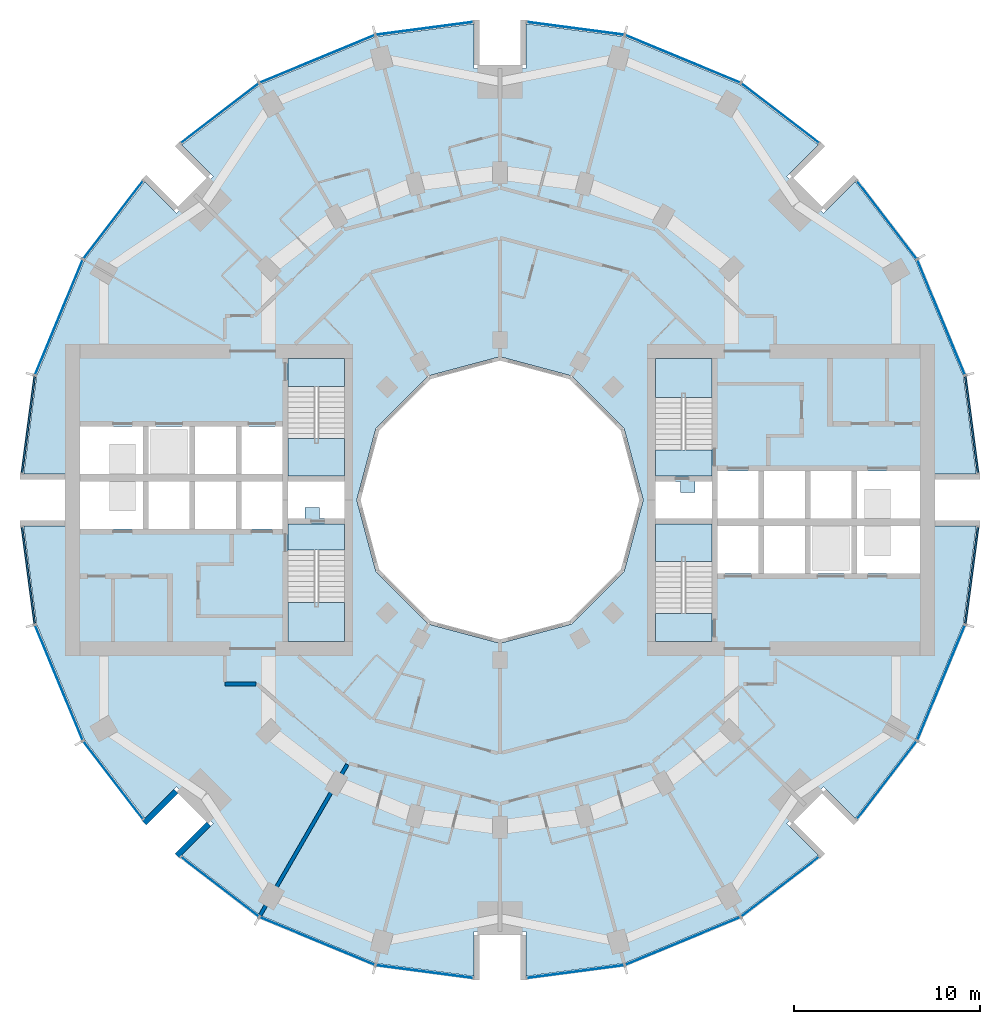
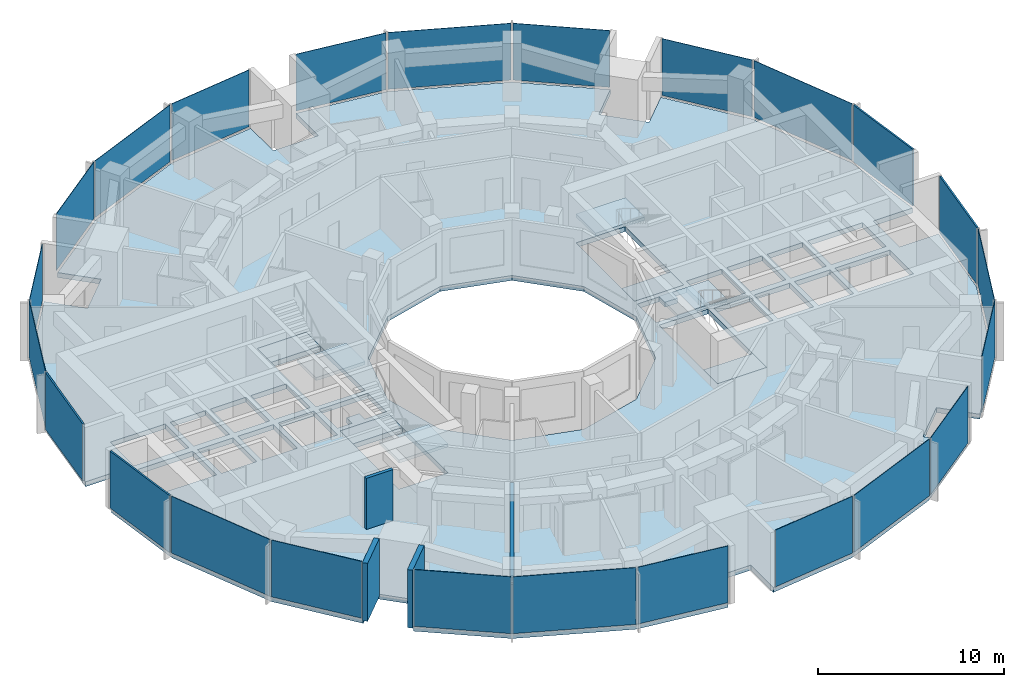
# One storey, part 7 of 15: 24 plates, 9 slabs, 4 walls, 28 elements without a shape of their own.
"""IFC4 building model written with IfcOpenShell, lengths in metres."""

from ifc_helpers import new_model, si_unit, direction, frame, frame_2d, origin, origin_2d, place, context, subcontext, project, spatial, polyline, rectangle, outline, extrude, material, layer, layer_set, type_object, element, aggregate, save


model = new_model("IFC4")

# Units and contexts
model_context = context("Model", 3, precision=1e-05, world=origin(), true_north=direction((0.0, 1.0)))
body_context = subcontext(model_context, "Body", "Model", "MODEL_VIEW")
ifc_project = project(units=[si_unit("LENGTHUNIT", "METRE"), si_unit("AREAUNIT", "SQUARE_METRE"), si_unit("VOLUMEUNIT", "CUBIC_METRE"), si_unit("PLANEANGLEUNIT", "RADIAN"), si_unit("MASSUNIT", "GRAM", prefix="KILO")], contexts=[model_context])

# Site, building, storey
site_placement = place(None, origin())
site = spatial("IfcSite", under=ifc_project, at=site_placement, CompositionType="ELEMENT")
building_placement = place(site_placement, origin())
building = spatial("IfcBuilding", under=site, at=building_placement, Name="Torre Brocal", CompositionType="ELEMENT")
storey_placement = place(building_placement, frame((0.0, 0.0, 70.60009765625)))
storey = spatial("IfcBuildingStorey", under=building, at=storey_placement, Name="L16", CompositionType="ELEMENT", Elevation=70.60009765625)

# Curtain wall, plate
ifc_material_1 = material(Name="Aluminium and glass", Category="aluminium")
ifc_layer_1 = layer(ifc_material_1, 0.199951171875)
ifc_layer_set_1 = layer_set([ifc_layer_1], Name="Aluminium and glass")
curtain_wall_type_1 = type_object("IfcCurtainWallType", Name="CW-1 CURTAIN WALL 3800 HIGH", PredefinedType="NOTDEFINED", material=ifc_layer_set_1)
curtain_wall_1_placement = place(storey_placement, origin())
curtain_wall_1 = element("IfcCurtainWall", 1, at=curtain_wall_1_placement, inside=storey, type_object=curtain_wall_type_1, Name="CW-1 RUN 2", PredefinedType="NOTDEFINED")
ifc_material_2 = material(Name="Glass, dark tinted laminated", Category="glass")
ifc_layer_2 = layer(ifc_material_2, 0.031982421875)
ifc_layer_set_2 = layer_set([ifc_layer_2], Name="Glass, dark tinted laminated")
plate_type_1 = type_object("IfcPlateType", Name="CW-1 GLASS PANEL 32", PredefinedType="CURTAIN_PANEL", material=ifc_layer_set_2)
plate_1_placement = place(storey_placement, frame((103.722900390625, 84.826416015625, 0.080078125), z_axis=(0.0, 0.0, 1.0), x_axis=(-0.382683432333, 0.923879532525, 0.0)))
plate_1 = element("IfcPlate", 2, at=plate_1_placement, type_object=plate_type_1, Name="CW1-1 panel 1.1", PredefinedType="CURTAIN_PANEL", context=body_context, shape_type="SweptSolid", body=[
    extrude(rectangle(XDim=6.64111328125, YDim=0.031982421875, at=origin_2d()), origin(), (0.0, 0.0, 1.0), 3.719970703125),
])
aggregate(curtain_wall_1, [plate_1])

curtain_wall_2_placement = place(storey_placement, origin())
curtain_wall_2 = element("IfcCurtainWall", 3, at=curtain_wall_2_placement, inside=storey, type_object=curtain_wall_type_1, Name="CW-1 RUN 3", PredefinedType="NOTDEFINED")
plate_2_placement = place(storey_placement, frame((100.80126953125, 90.0712890625, 0.080078125), z_axis=(0.0, 0.0, 1.0), x_axis=(-0.60876142905, 0.793353340259, 0.0)))
plate_2 = element("IfcPlate", 4, at=plate_2_placement, type_object=plate_type_1, Name="CW1-1 panel 1.1", PredefinedType="CURTAIN_PANEL", context=body_context, shape_type="SweptSolid", body=[
    extrude(rectangle(XDim=5.22900390625, YDim=0.031982421875, at=origin_2d()), origin(), (0.0, 0.0, 1.0), 3.719970703125),
])
aggregate(curtain_wall_2, [plate_2])

curtain_wall_3_placement = place(storey_placement, origin())
curtain_wall_3 = element("IfcCurtainWall", 5, at=curtain_wall_3_placement, inside=storey, type_object=curtain_wall_type_1, Name="CW-1 RUN 4", PredefinedType="NOTDEFINED")
plate_3_placement = place(storey_placement, frame((95.0712890625, 95.80126953125, 0.080078125), z_axis=(0.0, 0.0, 1.0), x_axis=(-0.793353340259, 0.60876142905, 0.0)))
plate_3 = element("IfcPlate", 6, at=plate_3_placement, type_object=plate_type_1, Name="CW1-1 panel 1.1", PredefinedType="CURTAIN_PANEL", context=body_context, shape_type="SweptSolid", body=[
    extrude(rectangle(XDim=5.22900390625, YDim=0.031982421875, at=origin_2d()), origin(), (0.0, 0.0, 1.0), 3.719970703125),
])
aggregate(curtain_wall_3, [plate_3])

curtain_wall_4_placement = place(storey_placement, origin())
curtain_wall_4 = element("IfcCurtainWall", 7, at=curtain_wall_4_placement, inside=storey, type_object=curtain_wall_type_1, Name="CW-1 RUN 5", PredefinedType="NOTDEFINED")
plate_4_placement = place(storey_placement, frame((89.826416015625, 98.722900390625, 0.080078125), z_axis=(0.0, 0.0, 1.0), x_axis=(-0.923879532525, 0.382683432333, 0.0)))
plate_4 = element("IfcPlate", 8, at=plate_4_placement, type_object=plate_type_1, Name="CW1-1 panel 1.1", PredefinedType="CURTAIN_PANEL", context=body_context, shape_type="SweptSolid", body=[
    extrude(rectangle(XDim=6.64111328125, YDim=0.031982421875, at=origin_2d()), origin(), (0.0, 0.0, 1.0), 3.719970703125),
])
aggregate(curtain_wall_4, [plate_4])

curtain_wall_5_placement = place(storey_placement, origin())
curtain_wall_5 = element("IfcCurtainWall", 9, at=curtain_wall_5_placement, inside=storey, type_object=curtain_wall_type_1, Name="CW-1 RUN 6", PredefinedType="NOTDEFINED")
plate_5_placement = place(storey_placement, frame((84.051513671875, 100.36572265625, 0.080078125), z_axis=(0.0, 0.0, 1.0), x_axis=(-0.991444861374, 0.13052619222, 0.0)))
plate_5 = element("IfcPlate", 10, at=plate_5_placement, type_object=plate_type_1, Name="CW1-1 panel 1.1", PredefinedType="CURTAIN_PANEL", context=body_context, shape_type="SweptSolid", body=[
    extrude(rectangle(XDim=5.22900390625, YDim=0.031982421875, at=origin_2d()), origin(), (0.0, 0.0, 1.0), 3.719970703125),
])
aggregate(curtain_wall_5, [plate_5])

curtain_wall_6_placement = place(storey_placement, origin())
curtain_wall_6 = element("IfcCurtainWall", 11, at=curtain_wall_6_placement, inside=storey, type_object=curtain_wall_type_1, Name="CW-1 RUN 7", PredefinedType="NOTDEFINED")
plate_6_placement = place(storey_placement, frame((75.948486328125, 100.36572265625, 0.080078125), z_axis=(0.0, 0.0, 1.0), x_axis=(-0.991444861374, -0.13052619222, 0.0)))
plate_6 = element("IfcPlate", 12, at=plate_6_placement, type_object=plate_type_1, Name="CW1-1 panel 1.1", PredefinedType="CURTAIN_PANEL", context=body_context, shape_type="SweptSolid", body=[
    extrude(rectangle(XDim=5.22900390625, YDim=0.031982421875, at=origin_2d()), origin(), (0.0, 0.0, 1.0), 3.719970703125),
])
aggregate(curtain_wall_6, [plate_6])

curtain_wall_7_placement = place(storey_placement, origin())
curtain_wall_7 = element("IfcCurtainWall", 13, at=curtain_wall_7_placement, inside=storey, type_object=curtain_wall_type_1, Name="CW-1 RUN 8", PredefinedType="NOTDEFINED")
plate_7_placement = place(storey_placement, frame((70.173583984375, 98.722900390625, 0.080078125), z_axis=(0.0, 0.0, 1.0), x_axis=(-0.923879532525, -0.382683432333, 0.0)))
plate_7 = element("IfcPlate", 14, at=plate_7_placement, type_object=plate_type_1, Name="CW1-1 panel 1.1", PredefinedType="CURTAIN_PANEL", context=body_context, shape_type="SweptSolid", body=[
    extrude(rectangle(XDim=6.64111328125, YDim=0.031982421875, at=origin_2d()), origin(), (0.0, 0.0, 1.0), 3.719970703125),
])
aggregate(curtain_wall_7, [plate_7])

curtain_wall_8_placement = place(storey_placement, origin())
curtain_wall_8 = element("IfcCurtainWall", 15, at=curtain_wall_8_placement, inside=storey, type_object=curtain_wall_type_1, Name="CW-1 RUN 9", PredefinedType="NOTDEFINED")
plate_8_placement = place(storey_placement, frame((64.9287109375, 95.80126953125, 0.080078125), z_axis=(0.0, 0.0, 1.0), x_axis=(-0.793353340259, -0.60876142905, 0.0)))
plate_8 = element("IfcPlate", 16, at=plate_8_placement, type_object=plate_type_1, Name="CW1-1 panel 1.1", PredefinedType="CURTAIN_PANEL", context=body_context, shape_type="SweptSolid", body=[
    extrude(rectangle(XDim=5.22900390625, YDim=0.031982421875, at=origin_2d()), origin(), (0.0, 0.0, 1.0), 3.719970703125),
])
aggregate(curtain_wall_8, [plate_8])

curtain_wall_9_placement = place(storey_placement, origin())
curtain_wall_9 = element("IfcCurtainWall", 17, at=curtain_wall_9_placement, inside=storey, type_object=curtain_wall_type_1, Name="CW-1 RUN 10", PredefinedType="NOTDEFINED")
plate_9_placement = place(storey_placement, frame((59.19873046875, 90.0712890625, 0.080078125), z_axis=(0.0, 0.0, 1.0), x_axis=(-0.60876142905, -0.793353340259, 0.0)))
plate_9 = element("IfcPlate", 18, at=plate_9_placement, type_object=plate_type_1, Name="CW1-1 panel 1.1", PredefinedType="CURTAIN_PANEL", context=body_context, shape_type="SweptSolid", body=[
    extrude(rectangle(XDim=5.22900390625, YDim=0.031982421875, at=origin_2d()), origin(), (0.0, 0.0, 1.0), 3.719970703125),
])
aggregate(curtain_wall_9, [plate_9])

curtain_wall_10_placement = place(storey_placement, origin())
curtain_wall_10 = element("IfcCurtainWall", 19, at=curtain_wall_10_placement, inside=storey, type_object=curtain_wall_type_1, Name="CW-1 RUN 11", PredefinedType="NOTDEFINED")
plate_10_placement = place(storey_placement, frame((56.277099609375, 84.826416015625, 0.080078125), z_axis=(0.0, 0.0, 1.0), x_axis=(-0.382683432333, -0.923879532525, 0.0)))
plate_10 = element("IfcPlate", 20, at=plate_10_placement, type_object=plate_type_1, Name="CW1-1 panel 1.1", PredefinedType="CURTAIN_PANEL", context=body_context, shape_type="SweptSolid", body=[
    extrude(rectangle(XDim=6.64111328125, YDim=0.031982421875, at=origin_2d()), origin(), (0.0, 0.0, 1.0), 3.719970703125),
])
aggregate(curtain_wall_10, [plate_10])

curtain_wall_11_placement = place(storey_placement, origin())
curtain_wall_11 = element("IfcCurtainWall", 21, at=curtain_wall_11_placement, inside=storey, type_object=curtain_wall_type_1, Name="CW-1 RUN 14", PredefinedType="NOTDEFINED")
plate_11_placement = place(storey_placement, frame((56.277099609375, 65.173583984375, 0.080078125), z_axis=(0.0, 0.0, 1.0), x_axis=(0.382683432333, -0.923879532525, 0.0)))
plate_11 = element("IfcPlate", 22, at=plate_11_placement, type_object=plate_type_1, Name="CW1-1 panel 1.1", PredefinedType="CURTAIN_PANEL", context=body_context, shape_type="SweptSolid", body=[
    extrude(rectangle(XDim=6.64111328125, YDim=0.031982421875, at=origin_2d()), origin(), (0.0, 0.0, 1.0), 3.719970703125),
])
aggregate(curtain_wall_11, [plate_11])

curtain_wall_12_placement = place(storey_placement, origin())
curtain_wall_12 = element("IfcCurtainWall", 23, at=curtain_wall_12_placement, inside=storey, type_object=curtain_wall_type_1, Name="CW-1 RUN 15", PredefinedType="NOTDEFINED")
plate_12_placement = place(storey_placement, frame((59.19873046875, 59.9287109375, 0.080078125), z_axis=(0.0, 0.0, 1.0), x_axis=(0.60876142905, -0.793353340259, 0.0)))
plate_12 = element("IfcPlate", 24, at=plate_12_placement, type_object=plate_type_1, Name="CW1-1 panel 1.1", PredefinedType="CURTAIN_PANEL", context=body_context, shape_type="SweptSolid", body=[
    extrude(rectangle(XDim=5.22900390625, YDim=0.031982421875, at=origin_2d()), origin(), (0.0, 0.0, 1.0), 3.719970703125),
])
aggregate(curtain_wall_12, [plate_12])

curtain_wall_13_placement = place(storey_placement, origin())
curtain_wall_13 = element("IfcCurtainWall", 25, at=curtain_wall_13_placement, inside=storey, type_object=curtain_wall_type_1, Name="CW-1 RUN 16", PredefinedType="NOTDEFINED")
plate_13_placement = place(storey_placement, frame((64.9287109375, 54.19873046875, 0.080078125), z_axis=(0.0, 0.0, 1.0), x_axis=(0.793353340259, -0.60876142905, 0.0)))
plate_13 = element("IfcPlate", 26, at=plate_13_placement, type_object=plate_type_1, Name="CW1-1 panel 1.1", PredefinedType="CURTAIN_PANEL", context=body_context, shape_type="SweptSolid", body=[
    extrude(rectangle(XDim=5.22900390625, YDim=0.031982421875, at=origin_2d()), origin(), (0.0, 0.0, 1.0), 3.719970703125),
])
aggregate(curtain_wall_13, [plate_13])

curtain_wall_14_placement = place(storey_placement, origin())
curtain_wall_14 = element("IfcCurtainWall", 27, at=curtain_wall_14_placement, inside=storey, type_object=curtain_wall_type_1, Name="CW-1 RUN 17", PredefinedType="NOTDEFINED")
plate_14_placement = place(storey_placement, frame((70.173583984375, 51.277099609375, 0.080078125), z_axis=(0.0, 0.0, 1.0), x_axis=(0.923879532525, -0.382683432333, 0.0)))
plate_14 = element("IfcPlate", 28, at=plate_14_placement, type_object=plate_type_1, Name="CW1-1 panel 1.1", PredefinedType="CURTAIN_PANEL", context=body_context, shape_type="SweptSolid", body=[
    extrude(rectangle(XDim=6.64111328125, YDim=0.031982421875, at=origin_2d()), origin(), (0.0, 0.0, 1.0), 3.719970703125),
])
aggregate(curtain_wall_14, [plate_14])

curtain_wall_15_placement = place(storey_placement, origin())
curtain_wall_15 = element("IfcCurtainWall", 29, at=curtain_wall_15_placement, inside=storey, type_object=curtain_wall_type_1, Name="CW-1 RUN 18", PredefinedType="NOTDEFINED")
plate_15_placement = place(storey_placement, frame((75.948486328125, 49.63427734375, 0.080078125), z_axis=(0.0, 0.0, 1.0), x_axis=(0.991444861374, -0.13052619222, 0.0)))
plate_15 = element("IfcPlate", 30, at=plate_15_placement, type_object=plate_type_1, Name="CW1-1 panel 1.1", PredefinedType="CURTAIN_PANEL", context=body_context, shape_type="SweptSolid", body=[
    extrude(rectangle(XDim=5.22900390625, YDim=0.031982421875, at=origin_2d()), origin(), (0.0, 0.0, 1.0), 3.719970703125),
])
aggregate(curtain_wall_15, [plate_15])

curtain_wall_16_placement = place(storey_placement, origin())
curtain_wall_16 = element("IfcCurtainWall", 31, at=curtain_wall_16_placement, inside=storey, type_object=curtain_wall_type_1, Name="CW-1 RUN 19", PredefinedType="NOTDEFINED")
plate_16_placement = place(storey_placement, frame((84.051513671875, 49.63427734375, 0.080078125), z_axis=(0.0, 0.0, 1.0), x_axis=(0.991444861374, 0.13052619222, 0.0)))
plate_16 = element("IfcPlate", 32, at=plate_16_placement, type_object=plate_type_1, Name="CW1-1 panel 1.1", PredefinedType="CURTAIN_PANEL", context=body_context, shape_type="SweptSolid", body=[
    extrude(rectangle(XDim=5.22900390625, YDim=0.031982421875, at=origin_2d()), origin(), (0.0, 0.0, 1.0), 3.719970703125),
])
aggregate(curtain_wall_16, [plate_16])

curtain_wall_17_placement = place(storey_placement, origin())
curtain_wall_17 = element("IfcCurtainWall", 33, at=curtain_wall_17_placement, inside=storey, type_object=curtain_wall_type_1, Name="CW-1 RUN 20", PredefinedType="NOTDEFINED")
plate_17_placement = place(storey_placement, frame((89.826416015625, 51.277099609375, 0.080078125), z_axis=(0.0, 0.0, 1.0), x_axis=(0.923879532525, 0.382683432333, 0.0)))
plate_17 = element("IfcPlate", 34, at=plate_17_placement, type_object=plate_type_1, Name="CW1-1 panel 1.1", PredefinedType="CURTAIN_PANEL", context=body_context, shape_type="SweptSolid", body=[
    extrude(rectangle(XDim=6.64111328125, YDim=0.031982421875, at=origin_2d()), origin(), (0.0, 0.0, 1.0), 3.719970703125),
])
aggregate(curtain_wall_17, [plate_17])

curtain_wall_18_placement = place(storey_placement, origin())
curtain_wall_18 = element("IfcCurtainWall", 35, at=curtain_wall_18_placement, inside=storey, type_object=curtain_wall_type_1, Name="CW-1 RUN 21", PredefinedType="NOTDEFINED")
plate_18_placement = place(storey_placement, frame((95.0712890625, 54.19873046875, 0.080078125), z_axis=(0.0, 0.0, 1.0), x_axis=(0.793353340259, 0.60876142905, 0.0)))
plate_18 = element("IfcPlate", 36, at=plate_18_placement, type_object=plate_type_1, Name="CW1-1 panel 1.1", PredefinedType="CURTAIN_PANEL", context=body_context, shape_type="SweptSolid", body=[
    extrude(rectangle(XDim=5.22900390625, YDim=0.031982421875, at=origin_2d()), origin(), (0.0, 0.0, 1.0), 3.719970703125),
])
aggregate(curtain_wall_18, [plate_18])

curtain_wall_19_placement = place(storey_placement, origin())
curtain_wall_19 = element("IfcCurtainWall", 37, at=curtain_wall_19_placement, inside=storey, type_object=curtain_wall_type_1, Name="CW-1 RUN 22", PredefinedType="NOTDEFINED")
plate_19_placement = place(storey_placement, frame((100.80126953125, 59.9287109375, 0.080078125), z_axis=(0.0, 0.0, 1.0), x_axis=(0.60876142905, 0.793353340259, 0.0)))
plate_19 = element("IfcPlate", 38, at=plate_19_placement, type_object=plate_type_1, Name="CW1-1 panel 1.1", PredefinedType="CURTAIN_PANEL", context=body_context, shape_type="SweptSolid", body=[
    extrude(rectangle(XDim=5.22900390625, YDim=0.031982421875, at=origin_2d()), origin(), (0.0, 0.0, 1.0), 3.719970703125),
])
aggregate(curtain_wall_19, [plate_19])

curtain_wall_20_placement = place(storey_placement, origin())
curtain_wall_20 = element("IfcCurtainWall", 39, at=curtain_wall_20_placement, inside=storey, type_object=curtain_wall_type_1, Name="CW-1 RUN 23", PredefinedType="NOTDEFINED")
plate_20_placement = place(storey_placement, frame((103.722900390625, 65.173583984375, 0.080078125), z_axis=(0.0, 0.0, 1.0), x_axis=(0.382683432333, 0.923879532525, 0.0)))
plate_20 = element("IfcPlate", 40, at=plate_20_placement, type_object=plate_type_1, Name="CW1-1 panel 1.1", PredefinedType="CURTAIN_PANEL", context=body_context, shape_type="SweptSolid", body=[
    extrude(rectangle(XDim=6.64111328125, YDim=0.031982421875, at=origin_2d()), origin(), (0.0, 0.0, 1.0), 3.719970703125),
])
aggregate(curtain_wall_20, [plate_20])

ifc_material_3 = material(Name="Aluminium and glass", Category="aluminium")
ifc_layer_3 = layer(ifc_material_3, 0.199951171875)
ifc_layer_set_3 = layer_set([ifc_layer_3], Name="Aluminium and glass")
curtain_wall_type_2 = type_object("IfcCurtainWallType", Name="CW-1B CURTAIN WALL 3800 HIGH", PredefinedType="NOTDEFINED", material=ifc_layer_set_3)
curtain_wall_21_placement = place(storey_placement, origin())
curtain_wall_21 = element("IfcCurtainWall", 41, at=curtain_wall_21_placement, inside=storey, type_object=curtain_wall_type_2, Name="CW-1B RUN 1", PredefinedType="NOTDEFINED")
ifc_material_4 = material(Name="Aluminium composite panel", Category="aluminium")
ifc_layer_4 = layer(ifc_material_4, 0.10009765625)
ifc_layer_set_4 = layer_set([ifc_layer_4], Name="Aluminium composite panel")
plate_type_2 = type_object("IfcPlateType", Name="CW-1B OPAQUE PANEL 100", PredefinedType="CURTAIN_PANEL", material=ifc_layer_set_4)
plate_21_placement = place(storey_placement, frame((105.36572265625, 79.051513671875, 0.080078125), z_axis=(0.0, 0.0, 1.0), x_axis=(-0.13052619222, 0.991444861374, 0.0)))
plate_21 = element("IfcPlate", 42, at=plate_21_placement, type_object=plate_type_2, Name="CW1B-1 panel 1.1", PredefinedType="CURTAIN_PANEL", context=body_context, shape_type="SweptSolid", body=[
    extrude(rectangle(XDim=5.22900390625, YDim=0.10009765625, at=origin_2d()), origin(), (0.0, 0.0, 1.0), 3.719970703125),
])
aggregate(curtain_wall_21, [plate_21])

curtain_wall_22_placement = place(storey_placement, origin())
curtain_wall_22 = element("IfcCurtainWall", 43, at=curtain_wall_22_placement, inside=storey, type_object=curtain_wall_type_2, Name="CW-1B RUN 12", PredefinedType="NOTDEFINED")
plate_22_placement = place(storey_placement, frame((54.63427734375, 79.051513671875, 0.080078125), z_axis=(0.0, 0.0, 1.0), x_axis=(-0.13052619222, -0.991444861374, 0.0)))
plate_22 = element("IfcPlate", 44, at=plate_22_placement, type_object=plate_type_2, Name="CW1B-1 panel 1.1", PredefinedType="CURTAIN_PANEL", context=body_context, shape_type="SweptSolid", body=[
    extrude(rectangle(XDim=5.22900390625, YDim=0.10009765625, at=origin_2d()), origin(), (0.0, 0.0, 1.0), 3.719970703125),
])
aggregate(curtain_wall_22, [plate_22])

curtain_wall_23_placement = place(storey_placement, origin())
curtain_wall_23 = element("IfcCurtainWall", 45, at=curtain_wall_23_placement, inside=storey, type_object=curtain_wall_type_2, Name="CW-1B RUN 13", PredefinedType="NOTDEFINED")
plate_23_placement = place(storey_placement, frame((54.63427734375, 70.948486328125, 0.080078125), z_axis=(0.0, 0.0, 1.0), x_axis=(0.13052619222, -0.991444861374, 0.0)))
plate_23 = element("IfcPlate", 46, at=plate_23_placement, type_object=plate_type_2, Name="CW1B-1 panel 1.1", PredefinedType="CURTAIN_PANEL", context=body_context, shape_type="SweptSolid", body=[
    extrude(rectangle(XDim=5.22900390625, YDim=0.10009765625, at=origin_2d()), origin(), (0.0, 0.0, 1.0), 3.719970703125),
])
aggregate(curtain_wall_23, [plate_23])

curtain_wall_24_placement = place(storey_placement, origin())
curtain_wall_24 = element("IfcCurtainWall", 47, at=curtain_wall_24_placement, inside=storey, type_object=curtain_wall_type_2, Name="CW-1B RUN 24", PredefinedType="NOTDEFINED")
plate_24_placement = place(storey_placement, frame((105.36572265625, 70.948486328125, 0.080078125), z_axis=(0.0, 0.0, 1.0), x_axis=(0.13052619222, 0.991444861374, 0.0)))
plate_24 = element("IfcPlate", 48, at=plate_24_placement, type_object=plate_type_2, Name="CW1B-1 panel 1.1", PredefinedType="CURTAIN_PANEL", context=body_context, shape_type="SweptSolid", body=[
    extrude(rectangle(XDim=5.22900390625, YDim=0.10009765625, at=origin_2d()), origin(), (0.0, 0.0, 1.0), 3.719970703125),
])
aggregate(curtain_wall_24, [plate_24])

# Stair, slab
ifc_material_5 = material(Name="Concrete C50", Category="concrete")
stair_type = type_object("IfcStairType", Name="EXIT STAIR", PredefinedType="HALF_TURN_STAIR", material=ifc_material_5)
stair_1_placement = place(storey_placement, origin())
stair_1 = element("IfcStair", 49, at=stair_1_placement, inside=storey, type_object=stair_type, Name="EXIT STAIR ST1", PredefinedType="HALF_TURN_STAIR")
ifc_material_6 = material(Name="Concrete C50", Category="concrete")
ifc_layer_5 = layer(ifc_material_6, 0.320068359375)
ifc_layer_set_5 = layer_set([ifc_layer_5], Name="Concrete C50")
slab_type_1 = type_object("IfcSlabType", Name="FLOOR LANDING 320", PredefinedType="LANDING", material=ifc_layer_set_5)
slab_1_placement = place(storey_placement, frame((0.0, 0.0, -0.320068359375)))
slab_1 = element("IfcSlab", 50, at=slab_1_placement, type_object=slab_type_1, Name="ST1 landing 1", PredefinedType="LANDING", context=body_context, shape_type="SweptSolid", body=[
    extrude(outline(polyline([(88.35009765625, 76.300048828125), (91.39990234375, 76.300048828125), (91.39990234375, 77.699951171875), (88.35009765625, 77.699951171875), (88.35009765625, 76.300048828125)])), origin(), (0.0, 0.0, 1.0), 0.320068359375),
])

stair_2_placement = place(storey_placement, origin())
stair_2 = element("IfcStair", 51, at=stair_2_placement, inside=storey, type_object=stair_type, Name="EXIT STAIR ST2", PredefinedType="HALF_TURN_STAIR")
slab_2_placement = place(storey_placement, frame((0.0, 0.0, -0.320068359375)))
slab_2 = element("IfcSlab", 52, at=slab_2_placement, type_object=slab_type_1, Name="ST2 landing 1", PredefinedType="LANDING", context=body_context, shape_type="SweptSolid", body=[
    extrude(outline(polyline([(88.35009765625, 67.39990234375), (91.39990234375, 67.39990234375), (91.39990234375, 68.89990234375), (88.35009765625, 68.89990234375), (88.35009765625, 67.39990234375)])), origin(), (0.0, 0.0, 1.0), 0.320068359375),
])

stair_3_placement = place(storey_placement, origin())
stair_3 = element("IfcStair", 53, at=stair_3_placement, inside=storey, type_object=stair_type, Name="EXIT STAIR ST3", PredefinedType="HALF_TURN_STAIR")
slab_3_placement = place(storey_placement, frame((0.0, 0.0, -0.320068359375)))
slab_3 = element("IfcSlab", 54, at=slab_3_placement, type_object=slab_type_1, Name="ST3 landing 1", PredefinedType="LANDING", context=body_context, shape_type="SweptSolid", body=[
    extrude(outline(polyline([(71.64990234375, 73.699951171875), (68.60009765625, 73.699951171875), (68.60009765625, 72.300048828125), (71.64990234375, 72.300048828125), (71.64990234375, 73.699951171875)])), origin(), (0.0, 0.0, 1.0), 0.320068359375),
])

stair_4_placement = place(storey_placement, origin())
stair_4 = element("IfcStair", 55, at=stair_4_placement, inside=storey, type_object=stair_type, Name="EXIT STAIR ST4", PredefinedType="HALF_TURN_STAIR")
slab_4_placement = place(storey_placement, frame((0.0, 0.0, -0.320068359375)))
slab_4 = element("IfcSlab", 56, at=slab_4_placement, type_object=slab_type_1, Name="ST4 landing 1", PredefinedType="LANDING", context=body_context, shape_type="SweptSolid", body=[
    extrude(outline(polyline([(71.64990234375, 82.60009765625), (68.60009765625, 82.60009765625), (68.60009765625, 81.10009765625), (71.64990234375, 81.10009765625), (71.64990234375, 82.60009765625)])), origin(), (0.0, 0.0, 1.0), 0.320068359375),
])

# Slab
ifc_material_7 = material(Name="Concrete C50", Category="concrete")
ifc_layer_6 = layer(ifc_material_7, 0.199951171875)
ifc_layer_set_6 = layer_set([ifc_layer_6], Name="Concrete C50")
slab_type_2 = type_object("IfcSlabType", Name="MID LANDING +1900", PredefinedType="LANDING", material=ifc_layer_set_6)
slab_5_placement = place(storey_placement, frame((0.0, 0.0, 1.699951171875)))
slab_5 = element("IfcSlab", 57, at=slab_5_placement, type_object=slab_type_2, Name="ST1 landing 2", PredefinedType="LANDING", context=body_context, shape_type="SweptSolid", body=[
    extrude(outline(polyline([(88.35009765625, 80.5), (91.39990234375, 80.5), (91.39990234375, 82.60009765625), (88.35009765625, 82.60009765625), (88.35009765625, 80.5)])), origin(), (0.0, 0.0, 1.0), 0.199951171875),
])

aggregate(stair_1, [slab_1, slab_5])

slab_6_placement = place(storey_placement, frame((0.0, 0.0, 1.699951171875)))
slab_6 = element("IfcSlab", 58, at=slab_6_placement, type_object=slab_type_2, Name="ST2 landing 2", PredefinedType="LANDING", context=body_context, shape_type="SweptSolid", body=[
    extrude(outline(polyline([(88.35009765625, 71.699951171875), (91.39990234375, 71.699951171875), (91.39990234375, 73.699951171875), (88.35009765625, 73.699951171875), (88.35009765625, 71.699951171875)])), origin(), (0.0, 0.0, 1.0), 0.199951171875),
])

aggregate(stair_2, [slab_2, slab_6])

slab_7_placement = place(storey_placement, frame((0.0, 0.0, 1.699951171875)))
slab_7 = element("IfcSlab", 59, at=slab_7_placement, type_object=slab_type_2, Name="ST3 landing 2", PredefinedType="LANDING", context=body_context, shape_type="SweptSolid", body=[
    extrude(outline(polyline([(71.64990234375, 69.5), (68.60009765625, 69.5), (68.60009765625, 67.39990234375), (71.64990234375, 67.39990234375), (71.64990234375, 69.5)])), origin(), (0.0, 0.0, 1.0), 0.199951171875),
])

aggregate(stair_3, [slab_3, slab_7])

slab_8_placement = place(storey_placement, frame((0.0, 0.0, 1.699951171875)))
slab_8 = element("IfcSlab", 60, at=slab_8_placement, type_object=slab_type_2, Name="ST4 landing 2", PredefinedType="LANDING", context=body_context, shape_type="SweptSolid", body=[
    extrude(outline(polyline([(71.64990234375, 78.300048828125), (68.60009765625, 78.300048828125), (68.60009765625, 76.300048828125), (71.64990234375, 76.300048828125), (71.64990234375, 78.300048828125)])), origin(), (0.0, 0.0, 1.0), 0.199951171875),
])

aggregate(stair_4, [slab_4, slab_8])

ifc_material_8 = material(Name="Concrete C45", Category="concrete")
ifc_layer_7 = layer(ifc_material_8, 0.320068359375)
ifc_layer_set_7 = layer_set([ifc_layer_7], Name="Concrete C45")
slab_type_3 = type_object("IfcSlabType", Name="PT FLOOR SLAB 320 C45", PredefinedType="FLOOR", material=ifc_layer_set_7)
slab_9_placement = place(storey_placement, frame((0.0, 0.0, -0.320068359375)))
element("IfcSlab", 61, at=slab_9_placement, inside=storey, type_object=slab_type_3, Name="Slab ST-05", PredefinedType="FLOOR", context=body_context, shape_type="SweptSolid", body=[
    extrude(outline(polyline([(103.199951171875, 76.39990234375), (103.199951171875, 73.60009765625), (105.614013671875, 73.60009765625), (104.919189453125, 68.322998046875), (102.342041015625, 62.100830078125), (99.101806640625, 57.878173828125), (97.394775390625, 59.5849609375), (95.4150390625, 57.605224609375), (97.121826171875, 55.898193359375), (92.899169921875, 52.657958984375), (86.677001953125, 50.080810546875), (81.39990234375, 49.385986328125), (81.39990234375, 51.800048828125), (78.60009765625, 51.800048828125), (78.60009765625, 49.385986328125), (73.322998046875, 50.080810546875), (67.100830078125, 52.657958984375), (62.878173828125, 55.898193359375), (64.5849609375, 57.605224609375), (62.605224609375, 59.5849609375), (60.898193359375, 57.878173828125), (57.657958984375, 62.100830078125), (55.080810546875, 68.322998046875), (54.385986328125, 73.60009765625), (56.800048828125, 73.60009765625), (56.800048828125, 76.39990234375), (54.385986328125, 76.39990234375), (55.080810546875, 81.677001953125), (57.657958984375, 87.899169921875), (60.898193359375, 92.121826171875), (62.605224609375, 90.4150390625), (64.5849609375, 92.394775390625), (62.878173828125, 94.101806640625), (67.100830078125, 97.342041015625), (73.322998046875, 99.919189453125), (78.60009765625, 100.614013671875), (78.60009765625, 98.199951171875), (81.39990234375, 98.199951171875), (81.39990234375, 100.614013671875), (86.677001953125, 99.919189453125), (92.899169921875, 97.342041015625), (97.121826171875, 94.101806640625), (95.4150390625, 92.394775390625), (97.394775390625, 90.4150390625), (99.101806640625, 92.121826171875), (102.342041015625, 87.899169921875), (104.919189453125, 81.677001953125), (105.614013671875, 76.39990234375), (103.199951171875, 76.39990234375)]), holes=[polyline([(102.60009765625, 74.0), (102.60009765625, 76.550048828125), (99.199951171875, 76.550048828125), (99.199951171875, 74.0), (102.60009765625, 74.0)]), polyline([(102.60009765625, 71.050048828125), (102.60009765625, 73.60009765625), (99.199951171875, 73.60009765625), (99.199951171875, 71.050048828125), (102.60009765625, 71.050048828125)]), polyline([(98.89990234375, 76.550048828125), (96.699951171875, 76.550048828125), (96.699951171875, 74.0), (98.89990234375, 74.0), (98.89990234375, 76.550048828125)]), polyline([(98.89990234375, 71.050048828125), (98.89990234375, 73.60009765625), (96.699951171875, 73.60009765625), (96.699951171875, 71.050048828125), (98.89990234375, 71.050048828125)]), polyline([(96.39990234375, 73.60009765625), (94.199951171875, 73.60009765625), (94.199951171875, 71.050048828125), (96.39990234375, 71.050048828125), (96.39990234375, 73.60009765625)]), polyline([(96.39990234375, 74.0), (96.39990234375, 76.550048828125), (94.199951171875, 76.550048828125), (94.199951171875, 74.0), (96.39990234375, 74.0)]), polyline([(93.89990234375, 73.60009765625), (91.699951171875, 73.60009765625), (91.699951171875, 71.050048828125), (93.89990234375, 71.050048828125), (93.89990234375, 73.60009765625)]), polyline([(93.89990234375, 74.0), (93.89990234375, 76.550048828125), (91.699951171875, 76.550048828125), (91.699951171875, 74.0), (93.89990234375, 74.0)]), polyline([(91.39990234375, 76.300048828125), (91.39990234375, 82.60009765625), (88.35009765625, 82.60009765625), (88.35009765625, 76.300048828125), (91.39990234375, 76.300048828125)]), polyline([(91.39990234375, 73.699951171875), (88.35009765625, 73.699951171875), (88.35009765625, 67.39990234375), (91.39990234375, 67.39990234375), (91.39990234375, 73.699951171875)]), polyline([(89.699951171875, 76.0), (88.35009765625, 76.0), (88.35009765625, 74.0), (91.39990234375, 74.0), (91.39990234375, 76.0), (90.5, 76.0), (90.5, 75.39990234375), (89.699951171875, 75.39990234375), (89.699951171875, 76.0)]), polyline([(80.0, 82.70703125), (76.146484375, 81.674560546875), (73.325439453125, 78.853515625), (72.29296875, 75.0), (73.325439453125, 71.146484375), (76.146484375, 68.325439453125), (80.0, 67.29296875), (83.853515625, 68.325439453125), (86.674560546875, 71.146484375), (87.70703125, 75.0), (86.674560546875, 78.853515625), (83.853515625, 81.674560546875), (80.0, 82.70703125)]), polyline([(68.60009765625, 82.60009765625), (68.60009765625, 76.300048828125), (71.64990234375, 76.300048828125), (71.64990234375, 82.60009765625), (68.60009765625, 82.60009765625)]), polyline([(70.300048828125, 74.0), (71.64990234375, 74.0), (71.64990234375, 76.0), (68.60009765625, 76.0), (68.60009765625, 74.0), (69.5, 74.0), (69.5, 74.60009765625), (70.300048828125, 74.60009765625), (70.300048828125, 74.0)]), polyline([(68.60009765625, 67.39990234375), (71.64990234375, 67.39990234375), (71.64990234375, 73.699951171875), (68.60009765625, 73.699951171875), (68.60009765625, 67.39990234375)]), polyline([(66.10009765625, 78.949951171875), (66.10009765625, 76.39990234375), (68.300048828125, 76.39990234375), (68.300048828125, 78.949951171875), (66.10009765625, 78.949951171875)]), polyline([(66.10009765625, 76.0), (66.10009765625, 73.449951171875), (68.300048828125, 73.449951171875), (68.300048828125, 76.0), (66.10009765625, 76.0)]), polyline([(63.60009765625, 76.0), (63.60009765625, 73.449951171875), (65.800048828125, 73.449951171875), (65.800048828125, 76.0), (63.60009765625, 76.0)]), polyline([(63.60009765625, 76.39990234375), (65.800048828125, 76.39990234375), (65.800048828125, 78.949951171875), (63.60009765625, 78.949951171875), (63.60009765625, 76.39990234375)]), polyline([(61.10009765625, 78.949951171875), (61.10009765625, 76.39990234375), (63.300048828125, 76.39990234375), (63.300048828125, 78.949951171875), (61.10009765625, 78.949951171875)]), polyline([(61.10009765625, 73.449951171875), (63.300048828125, 73.449951171875), (63.300048828125, 76.0), (61.10009765625, 76.0), (61.10009765625, 73.449951171875)]), polyline([(57.39990234375, 73.449951171875), (60.800048828125, 73.449951171875), (60.800048828125, 76.0), (57.39990234375, 76.0), (57.39990234375, 73.449951171875)]), polyline([(57.39990234375, 78.949951171875), (57.39990234375, 76.39990234375), (60.800048828125, 76.39990234375), (60.800048828125, 78.949951171875), (57.39990234375, 78.949951171875)])]), origin(), (0.0, 0.0, 1.0), 0.320068359375),
])

# Walls
ifc_material_9 = material(Name="Concrete C80", Category="concrete")
ifc_layer_8 = layer(ifc_material_9, 0.300048828125)
ifc_layer_set_8 = layer_set([ifc_layer_8], Name="Concrete C80")
wall_type_1 = type_object("IfcWallType", Name="NOTCH RETURN WALL 300 C80", PredefinedType="NOTDEFINED", material=ifc_layer_set_8)
for number, where, z_axis, x_axis, name in (
    (62, (62.56982421875, 59.337646484375, 0.0), (0.0, 0.0, 1.0), (-0.707106781187, -0.707106781187, 0.0), "NOTCH RETURN WALL"),
    (63, (64.337646484375, 57.56982421875, 0.0), (0.0, 0.0, 1.0), (-0.707106781187, -0.707106781187, 0.0), "NOTCH RETURN WALL"),
):
    element("IfcWall", number, at=place(storey_placement, frame(where, z_axis=z_axis, x_axis=x_axis)), inside=storey, type_object=wall_type_1, Name=name, PredefinedType="NOTDEFINED", context=body_context, shape_type="SweptSolid", body=[
        extrude(rectangle(XDim=2.415771484375, YDim=0.300048828125, at=frame_2d((1.2080078125, 0.0))), origin(), (0.0, 0.0, 1.0), 3.7998046875),
    ])
ifc_material_10 = material(Name="Gypsum board", Category="Gypsum")
ifc_layer_9 = layer(ifc_material_10, 0.199951171875)
ifc_layer_set_9 = layer_set([ifc_layer_9], Name="Gypsum board")
wall_type_2 = type_object("IfcWallType", Name="PARTITION 200 EI60", PredefinedType="PARTITIONING", material=ifc_layer_set_9)
wall_1_placement = place(storey_placement, frame((65.199951171875, 65.10009765625, 0.0), z_axis=(0.0, 0.0, 1.0), x_axis=(1.0, 0.0, 0.0)))
element("IfcWall", 64, at=wall_1_placement, inside=storey, type_object=wall_type_2, Name="CORRIDOR WALL", PredefinedType="PARTITIONING", context=body_context, shape_type="SweptSolid", body=[
    extrude(rectangle(XDim=1.6650390625, YDim=0.199951171875, at=frame_2d((0.83251953125, 0.0))), origin(), (0.0, 0.0, 1.0), 3.349853515625),
])
wall_2_placement = place(storey_placement, frame((67.09912109375, 52.6611328125, 0.0), z_axis=(0.0, 0.0, 1.0), x_axis=(0.500234203776, 0.86589014394, 0.0)))
element("IfcWall", 65, at=wall_2_placement, inside=storey, type_object=wall_type_2, Name="PARTY PARTITION", PredefinedType="PARTITIONING", context=body_context, shape_type="SweptSolid", body=[
    extrude(rectangle(XDim=9.37353515625, YDim=0.199951171875, at=frame_2d((4.686767578125, 0.0))), origin(), (0.0, 0.0, 1.0), 3.349853515625),
])

save(model, "model.ifc")
